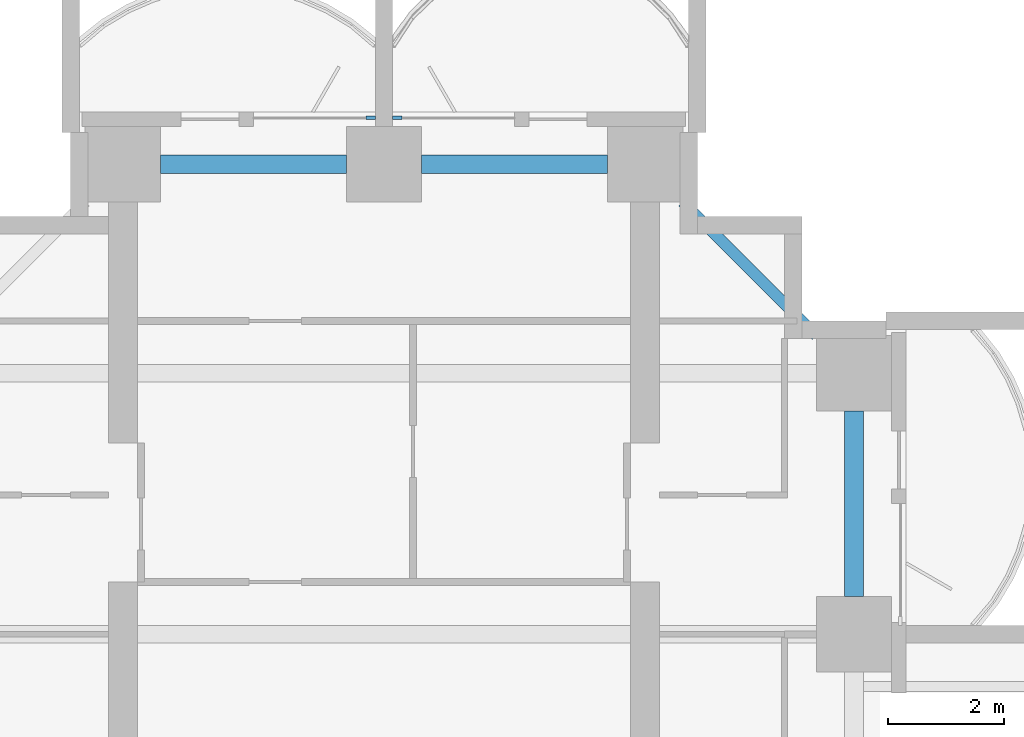
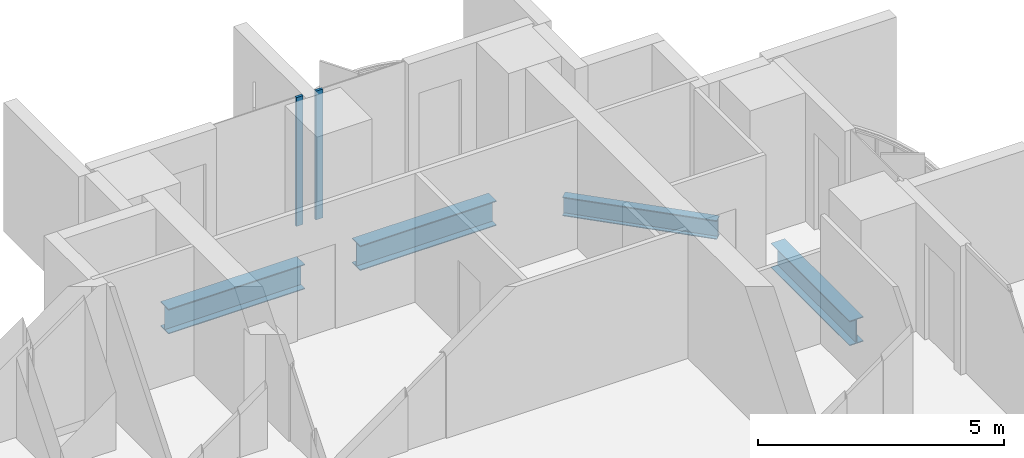
# One storey, part 7 of 21: 4 beams, 2 members, 2 elements without a shape of their own.
"""IFC4 building model written with IfcOpenShell, lengths in metres."""

from ifc_helpers import new_model, si_unit, direction, frame, origin, origin_2d, place, context, subcontext, project, spatial, rectangle, i_section, extrude, material, material_profile, profile_set, type_object, element, aggregate, save


model = new_model("IFC4")

# Units and contexts
model_context = context("Model", 3, precision=1e-05, world=origin(), true_north=direction((0.0, 1.0)))
body_context = subcontext(model_context, "Body", "Model", "MODEL_VIEW")
ifc_project = project(units=[si_unit("LENGTHUNIT", "METRE"), si_unit("AREAUNIT", "SQUARE_METRE"), si_unit("VOLUMEUNIT", "CUBIC_METRE"), si_unit("PLANEANGLEUNIT", "RADIAN"), si_unit("MASSUNIT", "GRAM", prefix="KILO")], contexts=[model_context])

# Site, building, storey
site_placement = place(None, origin())
site = spatial("IfcSite", under=ifc_project, at=site_placement, CompositionType="ELEMENT")
building_placement = place(site_placement, origin())
building = spatial("IfcBuilding", under=site, at=building_placement, Name="Perihelion Cross Residences", CompositionType="ELEMENT")
storey_placement = place(building_placement, frame((0.0, 0.0, 89.0)))
storey = spatial("IfcBuildingStorey", under=building, at=storey_placement, Name="L20", CompositionType="ELEMENT", Elevation=89.0)

# Curtain wall, member
ifc_material_1 = material(Name="Bronze anodised aluminium, tinted glazing", Category="aluminium")
curtain_wall_type = type_object("IfcCurtainWallType", Name="CW1", PredefinedType="NOTDEFINED", material=ifc_material_1)
curtain_wall_1_placement = place(storey_placement, origin())
curtain_wall_1 = element("IfcCurtainWall", 1, at=curtain_wall_1_placement, inside=storey, type_object=curtain_wall_type, Name="Curtain wall CW1 L20 north tip north bay 1", PredefinedType="NOTDEFINED")
ifc_material_2 = material(Name="Bronze anodised aluminium", Category="aluminium")
ifc_material_profile_1 = material_profile(ifc_material_2, rectangle(XDim=0.06005859375, YDim=0.159912109375, at=origin_2d()), Name="CW1 mullion")
ifc_profile_set_1 = profile_set([ifc_material_profile_1], Name="Bronze anodised aluminium")
member_type = type_object("IfcMemberType", Name="CW1 mullion", PredefinedType="MULLION", material=ifc_profile_set_1)
member_1_placement = place(storey_placement, frame((0.22998046875, 26.89990234375, 0.0), z_axis=(0.0, 0.0, 1.0), x_axis=(0.0, -1.0, 0.0)))
member_1 = element("IfcMember", 2, at=member_1_placement, type_object=member_type, Name="CW1 mullion 2", PredefinedType="MULLION", context=body_context, shape_type="SweptSolid", body=[
    extrude(rectangle(XDim=0.06005859375, YDim=0.159912109375, at=origin_2d()), origin(), (0.0, 0.0, 1.0), 3.199951171875),
])
aggregate(curtain_wall_1, [member_1])

curtain_wall_2_placement = place(storey_placement, origin())
curtain_wall_2 = element("IfcCurtainWall", 3, at=curtain_wall_2_placement, inside=storey, type_object=curtain_wall_type, Name="Curtain wall CW1 L20 north tip north bay 2", PredefinedType="NOTDEFINED")
member_2_placement = place(storey_placement, frame((-0.22998046875, 26.89990234375, 0.0), z_axis=(0.0, 0.0, 1.0), x_axis=(0.0, -1.0, 0.0)))
member_2 = element("IfcMember", 4, at=member_2_placement, type_object=member_type, Name="CW1 mullion 1", PredefinedType="MULLION", context=body_context, shape_type="SweptSolid", body=[
    extrude(rectangle(XDim=0.06005859375, YDim=0.159912109375, at=origin_2d()), origin(), (0.0, 0.0, 1.0), 3.199951171875),
])
aggregate(curtain_wall_2, [member_2])

# Beams
ifc_material_3 = material(Name="Steel S355", Category="steel")
ifc_material_profile_2 = material_profile(ifc_material_3, i_section(OverallWidth=0.324951171875, OverallDepth=0.616943359375, WebThickness=0.013916015625, FlangeThickness=0.021484375, at=origin_2d()), Name="W610x174")
ifc_profile_set_2 = profile_set([ifc_material_profile_2], Name="Steel S355")
beam_type_1 = type_object("IfcBeamType", Name="Edge beam W610x174", PredefinedType="SPANDREL", material=ifc_profile_set_2)
for number, where, z_axis, x_axis, name in (
    (5, (8.10009765625, 18.64990234375, -0.55859375), (0.0, 1.0, 0.0), (-1.0, 0.0, 0.0), "Edge beam SB2 L20 no. 19"),
    (6, (3.85009765625, 26.10009765625, -0.55859375), (-1.0, 0.0, 0.0), (0.0, -1.0, 0.0), "Edge beam SB2 L20 no. 15"),
    (7, (-0.64990234375, 26.10009765625, -0.55859375), (-1.0, 0.0, 0.0), (0.0, -1.0, 0.0), "Edge beam SB2 L20 no. 11"),
):
    element("IfcBeam", number, at=place(storey_placement, frame(where, z_axis=z_axis, x_axis=x_axis)), inside=storey, type_object=beam_type_1, Name=name, PredefinedType="SPANDREL", context=body_context, shape_type="SweptSolid", body=[
        extrude(i_section(OverallWidth=0.324951171875, OverallDepth=0.616943359375, WebThickness=0.013916015625, FlangeThickness=0.021484375, at=origin_2d()), origin(), (0.0, 0.0, 1.0), 3.2001953125),
    ])
ifc_material_4 = material(Name="Steel S355", Category="steel")
ifc_material_profile_3 = material_profile(ifc_material_4, i_section(OverallWidth=0.194091796875, OverallDepth=0.469970703125, WebThickness=0.0126953125, FlangeThickness=0.0205078125, at=origin_2d()), Name="W460x106")
ifc_profile_set_3 = profile_set([ifc_material_profile_3], Name="Steel S355")
beam_type_2 = type_object("IfcBeamType", Name="Serration edge beam W460x106", PredefinedType="BEAM", material=ifc_profile_set_3)
beam_placement = place(storey_placement, frame((7.449951171875, 23.14990234375, -0.485107421875), z_axis=(-0.707106781187, 0.707106781187, 0.0), x_axis=(-0.707106781187, -0.707106781187, 0.0)))
element("IfcBeam", 8, at=beam_placement, inside=storey, type_object=beam_type_2, Name="Serration edge beam EB2 L20 no. 4", PredefinedType="BEAM", context=body_context, shape_type="SweptSolid", body=[
    extrude(i_section(OverallWidth=0.194091796875, OverallDepth=0.469970703125, WebThickness=0.0126953125, FlangeThickness=0.0205078125, at=origin_2d()), origin(), (0.0, 0.0, 1.0), 3.252685546875),
])

save(model, "model.ifc")
